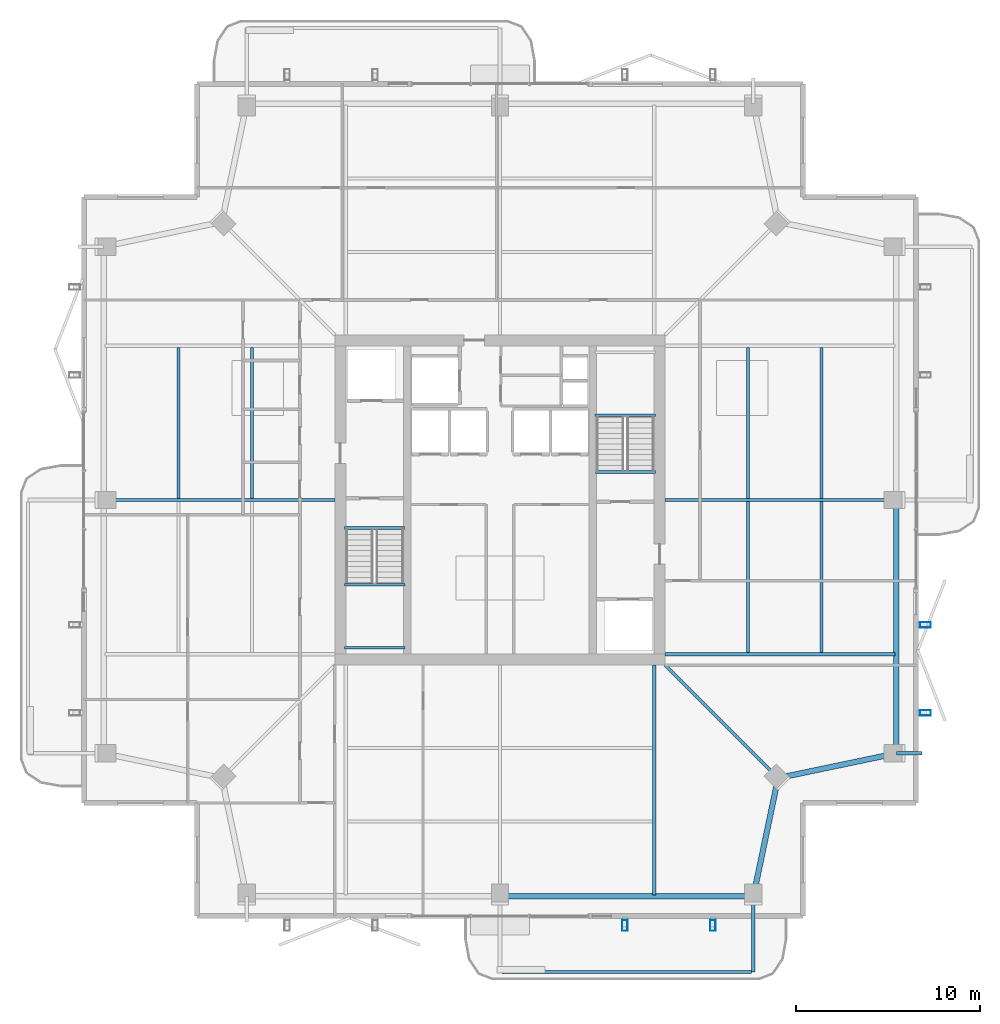
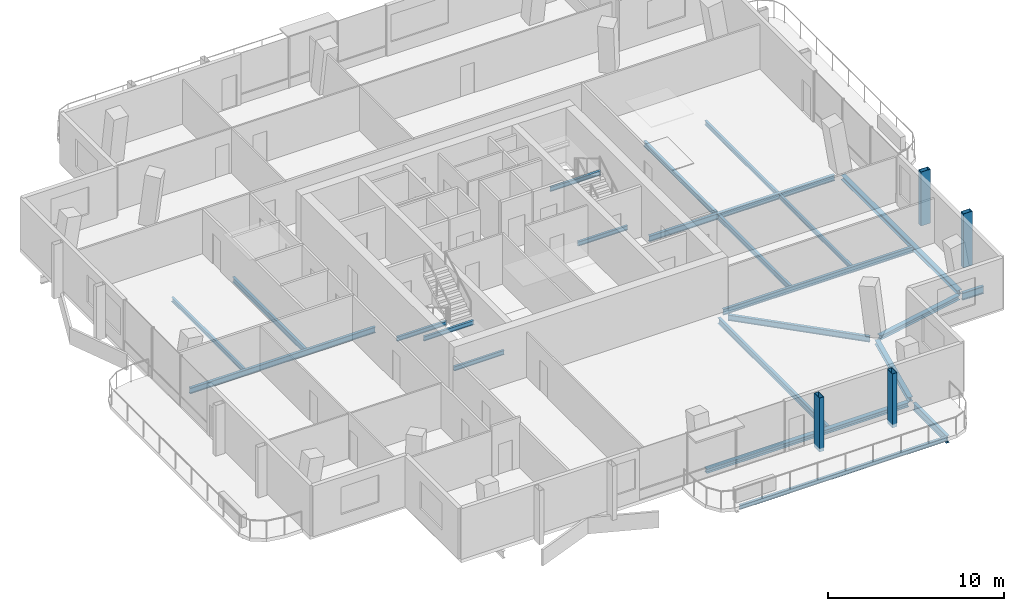
# One storey, part 8 of 20: 23 beams, 4 members.
"""IFC4 building model written with IfcOpenShell, lengths in metres."""

from ifc_helpers import new_model, si_unit, direction, frame, origin, origin_2d, place, context, subcontext, project, spatial, hollow_rectangle, i_section, extrude, material, material_profile, profile_set, type_object, element, save


model = new_model("IFC4")

# Units and contexts
model_context = context("Model", 3, precision=1e-05, world=origin(), true_north=direction((0.0, 1.0)))
body_context = subcontext(model_context, "Body", "Model", "MODEL_VIEW")
ifc_project = project(units=[si_unit("LENGTHUNIT", "METRE"), si_unit("AREAUNIT", "SQUARE_METRE"), si_unit("VOLUMEUNIT", "CUBIC_METRE"), si_unit("PLANEANGLEUNIT", "RADIAN"), si_unit("MASSUNIT", "GRAM", prefix="KILO")], contexts=[model_context])

# Site, building, storey
site_placement = place(None, origin())
site = spatial("IfcSite", under=ifc_project, at=site_placement, CompositionType="ELEMENT")
building_placement = place(site_placement, origin())
building = spatial("IfcBuilding", under=site, at=building_placement, Name="Belovzor Exchange Tower", CompositionType="ELEMENT")
storey_placement = place(building_placement, frame((0.0, 0.0, 329.25)))
storey = spatial("IfcBuildingStorey", under=building, at=storey_placement, Name="L82", CompositionType="ELEMENT", Elevation=329.25)

# Beams
ifc_material_1 = material(Name="Steel S355", Category="steel")
ifc_material_profile_1 = material_profile(ifc_material_1, i_section(OverallWidth=0.199951171875, OverallDepth=0.5, WebThickness=0.01025390625, FlangeThickness=0.01611328125, at=origin_2d()))
ifc_profile_set_1 = profile_set([ifc_material_profile_1], Name="Steel S355")
beam_type_1 = type_object("IfcBeamType", Name="Planted Balcony Cantilever Beam IPE 500", PredefinedType="BEAM", material=ifc_profile_set_1)
beam_1_placement = place(storey_placement, frame((42.60009765625, 6.93896484375, -0.489990234375), z_axis=(0.0, -1.0, 0.0), x_axis=(1.0, 0.0, 0.0)))
element("IfcBeam", 1, at=beam_1_placement, inside=storey, type_object=beam_type_1, Name="BC-500 Planted Balcony Cantilever Beam IPE 500", PredefinedType="BEAM", context=body_context, shape_type="SweptSolid", body=[
    extrude(i_section(OverallWidth=0.199951171875, OverallDepth=0.5, WebThickness=0.01025390625, FlangeThickness=0.01611328125, at=origin_2d()), origin(), (0.0, 0.0, 1.0), 3.849853515625),
])
beam_2_placement = place(storey_placement, frame((50.39990234375, 15.0, -0.489990234375), z_axis=(1.0, 0.0, 0.0), x_axis=(0.0, 1.0, 0.0)))
element("IfcBeam", 2, at=beam_2_placement, inside=storey, type_object=beam_type_1, Name="BC-500 Planted Balcony Cantilever Beam IPE 500", PredefinedType="BEAM", context=body_context, shape_type="SweptSolid", body=[
    extrude(i_section(OverallWidth=0.199951171875, OverallDepth=0.5, WebThickness=0.01025390625, FlangeThickness=0.01611328125, at=origin_2d()), origin(), (0.0, 0.0, 1.0), 1.400146484375),
])
ifc_material_2 = material(Name="Steel S355", Category="steel")
ifc_material_profile_2 = material_profile(ifc_material_2, i_section(OverallWidth=0.14990234375, OverallDepth=0.300048828125, WebThickness=0.007080078125, FlangeThickness=0.0107421875, at=origin_2d()))
ifc_profile_set_2 = profile_set([ifc_material_profile_2], Name="Steel S355")
beam_type_2 = type_object("IfcBeamType", Name="Planted Balcony Fascia Edge Beam IPE 300", PredefinedType="BEAM", material=ifc_profile_set_2)
beam_3_placement = place(storey_placement, frame((28.89990234375, 3.089111328125, -0.389892578125), z_axis=(1.0, 0.0, 0.0), x_axis=(0.0, 1.0, 0.0)))
element("IfcBeam", 3, at=beam_3_placement, inside=storey, type_object=beam_type_2, Name="BC-300 Planted Balcony Fascia Edge Beam IPE 300", PredefinedType="BEAM", context=body_context, shape_type="SweptSolid", body=[
    extrude(i_section(OverallWidth=0.14990234375, OverallDepth=0.300048828125, WebThickness=0.007080078125, FlangeThickness=0.0107421875, at=origin_2d()), origin(), (0.0, 0.0, 1.0), 13.60009765625),
])
ifc_material_3 = material(Name="Steel S355", Category="steel")
ifc_material_profile_3 = material_profile(ifc_material_3, i_section(OverallWidth=0.169921875, OverallDepth=0.360107421875, WebThickness=0.008056640625, FlangeThickness=0.0126953125, at=origin_2d()))
ifc_profile_set_3 = profile_set([ifc_material_profile_3], Name="Steel S355")
beam_type_3 = type_object("IfcBeamType", Name="Secondary Infill Floor Joist IPE 360", PredefinedType="BEAM", material=ifc_profile_set_3)
beam_4_placement = place(storey_placement, frame((15.291015625, 28.889892578125, -0.419921875), z_axis=(0.0, 1.0, 0.0), x_axis=(-1.0, 0.0, 0.0)))
element("IfcBeam", 4, at=beam_4_placement, inside=storey, type_object=beam_type_3, Name="FJ-360 Secondary Infill Floor Joist IPE 360", PredefinedType="BEAM", context=body_context, shape_type="SweptSolid", body=[
    extrude(i_section(OverallWidth=0.169921875, OverallDepth=0.360107421875, WebThickness=0.008056640625, FlangeThickness=0.0126953125, at=origin_2d()), origin(), (0.0, 0.0, 1.0), 8.22021484375),
])
beam_5_placement = place(storey_placement, frame((42.30908203125, 20.489990234375, -0.419921875), z_axis=(0.0, 1.0, 0.0), x_axis=(-1.0, 0.0, 0.0)))
element("IfcBeam", 5, at=beam_5_placement, inside=storey, type_object=beam_type_3, Name="FJ-360 Secondary Infill Floor Joist IPE 360", PredefinedType="BEAM", context=body_context, shape_type="SweptSolid", body=[
    extrude(i_section(OverallWidth=0.169921875, OverallDepth=0.360107421875, WebThickness=0.008056640625, FlangeThickness=0.0126953125, at=origin_2d()), origin(), (0.0, 0.0, 1.0), 8.219970703125),
])
beam_6_placement = place(storey_placement, frame((42.30908203125, 28.889892578125, -0.419921875), z_axis=(0.0, 1.0, 0.0), x_axis=(-1.0, 0.0, 0.0)))
element("IfcBeam", 6, at=beam_6_placement, inside=storey, type_object=beam_type_3, Name="FJ-360 Secondary Infill Floor Joist IPE 360", PredefinedType="BEAM", context=body_context, shape_type="SweptSolid", body=[
    extrude(i_section(OverallWidth=0.169921875, OverallDepth=0.360107421875, WebThickness=0.008056640625, FlangeThickness=0.0126953125, at=origin_2d()), origin(), (0.0, 0.0, 1.0), 8.22021484375),
])
ifc_material_4 = material(Name="Steel S355", Category="steel")
ifc_material_profile_4 = material_profile(ifc_material_4, i_section(OverallWidth=0.14990234375, OverallDepth=0.300048828125, WebThickness=0.007080078125, FlangeThickness=0.0107421875, at=origin_2d()))
ifc_profile_set_4 = profile_set([ifc_material_profile_4], Name="Steel S355")
beam_type_4 = type_object("IfcBeamType", Name="Secondary Trim Floor Joist IPE 300", PredefinedType="BEAM", material=ifc_profile_set_4)
for number, where, z_axis, x_axis, name in (
    (7, (20.320068359375, 24.179931640625, 1.52490234375), (1.0, 0.0, 0.0), (0.0, 1.0, 0.0), "FJ-300 Secondary Trim Floor Joist IPE 300"),
    (8, (20.320068359375, 20.75, 1.52490234375), (1.0, 0.0, 0.0), (0.0, 1.0, 0.0), "FJ-300 Secondary Trim Floor Joist IPE 300"),
):
    element("IfcBeam", number, at=place(storey_placement, frame(where, z_axis=z_axis, x_axis=x_axis)), inside=storey, type_object=beam_type_4, Name=name, PredefinedType="BEAM", context=body_context, shape_type="SweptSolid", body=[
        extrude(i_section(OverallWidth=0.14990234375, OverallDepth=0.300048828125, WebThickness=0.007080078125, FlangeThickness=0.0107421875, at=origin_2d()), origin(), (0.0, 0.0, 1.0), 3.309814453125),
    ])
beam_7_placement = place(storey_placement, frame((20.340087890625, 27.280029296875, -0.389892578125), z_axis=(1.0, 0.0, 0.0), x_axis=(0.0, 1.0, 0.0)))
element("IfcBeam", 9, at=beam_7_placement, inside=storey, type_object=beam_type_4, Name="FJ-300 Secondary Trim Floor Joist IPE 300", PredefinedType="BEAM", context=body_context, shape_type="SweptSolid", body=[
    extrude(i_section(OverallWidth=0.14990234375, OverallDepth=0.300048828125, WebThickness=0.007080078125, FlangeThickness=0.0107421875, at=origin_2d()), origin(), (0.0, 0.0, 1.0), 3.27001953125),
])
beam_8_placement = place(storey_placement, frame((37.280029296875, 33.419921875, 1.52490234375), z_axis=(-1.0, 0.0, 0.0), x_axis=(0.0, -1.0, 0.0)))
element("IfcBeam", 10, at=beam_8_placement, inside=storey, type_object=beam_type_4, Name="FJ-300 Secondary Trim Floor Joist IPE 300", PredefinedType="BEAM", context=body_context, shape_type="SweptSolid", body=[
    extrude(i_section(OverallWidth=0.14990234375, OverallDepth=0.300048828125, WebThickness=0.007080078125, FlangeThickness=0.0107421875, at=origin_2d()), origin(), (0.0, 0.0, 1.0), 3.31005859375),
])
beam_9_placement = place(storey_placement, frame((37.260009765625, 30.320068359375, -0.389892578125), z_axis=(-1.0, 0.0, 0.0), x_axis=(0.0, -1.0, 0.0)))
element("IfcBeam", 11, at=beam_9_placement, inside=storey, type_object=beam_type_4, Name="FJ-300 Secondary Trim Floor Joist IPE 300", PredefinedType="BEAM", context=body_context, shape_type="SweptSolid", body=[
    extrude(i_section(OverallWidth=0.14990234375, OverallDepth=0.300048828125, WebThickness=0.007080078125, FlangeThickness=0.0107421875, at=origin_2d()), origin(), (0.0, 0.0, 1.0), 3.27001953125),
])
beam_10_placement = place(storey_placement, frame((11.282958984375, 28.889892578125, -0.389892578125), z_axis=(0.0, 1.0, 0.0), x_axis=(-1.0, 0.0, 0.0)))
element("IfcBeam", 12, at=beam_10_placement, inside=storey, type_object=beam_type_4, Name="FJ-300 Secondary Trim Floor Joist IPE 300", PredefinedType="BEAM", context=body_context, shape_type="SweptSolid", body=[
    extrude(i_section(OverallWidth=0.14990234375, OverallDepth=0.300048828125, WebThickness=0.007080078125, FlangeThickness=0.0107421875, at=origin_2d()), origin(), (0.0, 0.0, 1.0), 8.22021484375),
])
beam_11_placement = place(storey_placement, frame((46.31689453125, 20.489990234375, -0.389892578125), z_axis=(0.0, 1.0, 0.0), x_axis=(-1.0, 0.0, 0.0)))
element("IfcBeam", 13, at=beam_11_placement, inside=storey, type_object=beam_type_4, Name="FJ-300 Secondary Trim Floor Joist IPE 300", PredefinedType="BEAM", context=body_context, shape_type="SweptSolid", body=[
    extrude(i_section(OverallWidth=0.14990234375, OverallDepth=0.300048828125, WebThickness=0.007080078125, FlangeThickness=0.0107421875, at=origin_2d()), origin(), (0.0, 0.0, 1.0), 8.219970703125),
])
beam_12_placement = place(storey_placement, frame((46.31689453125, 28.889892578125, -0.389892578125), z_axis=(0.0, 1.0, 0.0), x_axis=(-1.0, 0.0, 0.0)))
element("IfcBeam", 14, at=beam_12_placement, inside=storey, type_object=beam_type_4, Name="FJ-300 Secondary Trim Floor Joist IPE 300", PredefinedType="BEAM", context=body_context, shape_type="SweptSolid", body=[
    extrude(i_section(OverallWidth=0.14990234375, OverallDepth=0.300048828125, WebThickness=0.007080078125, FlangeThickness=0.0107421875, at=origin_2d()), origin(), (0.0, 0.0, 1.0), 8.22021484375),
])

# Members
ifc_material_5 = material(Name="Extruded Architectural Terracotta on Steel S355 Carrier", Category="masonry")
ifc_material_profile_5 = material_profile(ifc_material_5, hollow_rectangle(XDim=0.300048828125, YDim=0.60009765625, WallThickness=0.01611328125, at=origin_2d()))
ifc_profile_set_5 = profile_set([ifc_material_profile_5], Name="Extruded Architectural Terracotta on Steel S355 Carrier")
member_type = type_object("IfcMemberType", Name="Upper Crown Terracotta Fin Assembly 550", PredefinedType="USERDEFINED", material=ifc_profile_set_5)
for number, where, z_axis, x_axis, name in (
    (15, (51.97509765625, 17.199951171875, -0.239990234375), (0.0, 0.0, 1.0), (0.0, 1.0, 0.0), "FIN-TC055 Terracotta Facade Fin L82 E1"),
    (16, (51.97509765625, 22.0, -0.239990234375), (0.0, 0.0, 1.0), (0.0, 1.0, 0.0), "FIN-TC055 Terracotta Facade Fin L82 E2"),
    (17, (35.60009765625, 5.625, -0.239990234375), (0.0, 0.0, 1.0), (1.0, 0.0, 0.0), "FIN-TC055 Terracotta Facade Fin L82 S3"),
    (18, (40.39990234375, 5.625, -0.239990234375), (0.0, 0.0, 1.0), (1.0, 0.0, 0.0), "FIN-TC055 Terracotta Facade Fin L82 S4"),
):
    element("IfcMember", number, at=place(storey_placement, frame(where, z_axis=z_axis, x_axis=x_axis)), inside=storey, type_object=member_type, Name=name, ObjectType="FIN", PredefinedType="USERDEFINED", context=body_context, shape_type="SweptSolid", body=[
        extrude(hollow_rectangle(XDim=0.300048828125, YDim=0.60009765625, WallThickness=0.01611328125, at=origin_2d()), origin(), (0.0, 0.0, 1.0), 3.75),
    ])

# Beams
ifc_material_6 = material(Name="Steel S355", Category="steel")
ifc_material_profile_6 = material_profile(ifc_material_6, i_section(OverallWidth=0.179931640625, OverallDepth=0.39990234375, WebThickness=0.008544921875, FlangeThickness=0.013427734375, at=origin_2d()))
ifc_profile_set_6 = profile_set([ifc_material_profile_6], Name="Steel S355")
beam_type_5 = type_object("IfcBeamType", Name="Zone 5-6 Radial Composite Floor Beam IPE 400", PredefinedType="BEAM", material=ifc_profile_set_6)
beam_13_placement = place(storey_placement, frame((37.199951171875, 19.800048828125, -0.43994140625), z_axis=(0.0, -1.0, 0.0), x_axis=(1.0, 0.0, 0.0)))
element("IfcBeam", 19, at=beam_13_placement, inside=storey, type_object=beam_type_5, Name="FB-400 Zone 5-6 Radial Composite Floor Beam IPE 400", PredefinedType="BEAM", context=body_context, shape_type="SweptSolid", body=[
    extrude(i_section(OverallWidth=0.179931640625, OverallDepth=0.39990234375, WebThickness=0.008544921875, FlangeThickness=0.013427734375, at=origin_2d()), origin(), (0.0, 0.0, 1.0), 12.525146484375),
])
beam_14_placement = place(storey_placement, frame((19.800048828125, 28.800048828125, -0.43994140625), z_axis=(-1.0, 0.0, 0.0), x_axis=(0.0, -1.0, 0.0)))
element("IfcBeam", 20, at=beam_14_placement, inside=storey, type_object=beam_type_5, Name="FB-400 Zone 5-6 Radial Composite Floor Beam IPE 400", PredefinedType="BEAM", context=body_context, shape_type="SweptSolid", body=[
    extrude(i_section(OverallWidth=0.179931640625, OverallDepth=0.39990234375, WebThickness=0.008544921875, FlangeThickness=0.013427734375, at=origin_2d()), origin(), (0.0, 0.0, 1.0), 12.18212890625),
])
beam_15_placement = place(storey_placement, frame((37.800048828125, 20.39990234375, -0.43994140625), z_axis=(1.0, 0.0, 0.0), x_axis=(0.0, 1.0, 0.0)))
element("IfcBeam", 21, at=beam_15_placement, inside=storey, type_object=beam_type_5, Name="FB-400 Zone 5-6 Radial Composite Floor Beam IPE 400", PredefinedType="BEAM", context=body_context, shape_type="SweptSolid", body=[
    extrude(i_section(OverallWidth=0.179931640625, OverallDepth=0.39990234375, WebThickness=0.008544921875, FlangeThickness=0.013427734375, at=origin_2d()), origin(), (0.0, 0.0, 1.0), 12.52490234375),
])
beam_16_placement = place(storey_placement, frame((37.800048828125, 28.800048828125, -0.43994140625), z_axis=(1.0, 0.0, 0.0), x_axis=(0.0, 1.0, 0.0)))
element("IfcBeam", 22, at=beam_16_placement, inside=storey, type_object=beam_type_5, Name="FB-400 Zone 5-6 Radial Composite Floor Beam IPE 400", PredefinedType="BEAM", context=body_context, shape_type="SweptSolid", body=[
    extrude(i_section(OverallWidth=0.179931640625, OverallDepth=0.39990234375, WebThickness=0.008544921875, FlangeThickness=0.013427734375, at=origin_2d()), origin(), (0.0, 0.0, 1.0), 12.181884765625),
])
beam_17_placement = place(storey_placement, frame((37.800048828125, 19.800048828125, -0.43994140625), z_axis=(0.707150577091, -0.707062982569, 0.0), x_axis=(0.707062982569, 0.707150577091, 0.0)))
element("IfcBeam", 23, at=beam_17_placement, inside=storey, type_object=beam_type_5, Name="FB-400 Zone 5-6 Radial Composite Floor Beam IPE 400", PredefinedType="BEAM", context=body_context, shape_type="SweptSolid", body=[
    extrude(i_section(OverallWidth=0.179931640625, OverallDepth=0.39990234375, WebThickness=0.008544921875, FlangeThickness=0.013427734375, at=origin_2d()), origin(), (0.0, 0.0, 1.0), 8.361572265625),
])
ifc_material_7 = material(Name="Steel S355", Category="steel")
ifc_material_profile_7 = material_profile(ifc_material_7, i_section(OverallWidth=0.300048828125, OverallDepth=0.300048828125, WebThickness=0.008544921875, FlangeThickness=0.013916015625, at=origin_2d()))
ifc_profile_set_7 = profile_set([ifc_material_profile_7], Name="Steel S355")
beam_type_6 = type_object("IfcBeamType", Name="Zone 6 Primary Girder HEA 300", PredefinedType="BEAM", material=ifc_profile_set_7)
beam_18_placement = place(storey_placement, frame((29.06103515625, 7.199951171875, -0.389892578125), z_axis=(1.0, 0.0, 0.0), x_axis=(0.0, 1.0, 0.0)))
element("IfcBeam", 24, at=beam_18_placement, inside=storey, type_object=beam_type_6, Name="FG-Z6 Zone 6 Primary Girder HEA 300", PredefinedType="BEAM", context=body_context, shape_type="SweptSolid", body=[
    extrude(i_section(OverallWidth=0.300048828125, OverallDepth=0.300048828125, WebThickness=0.008544921875, FlangeThickness=0.013916015625, at=origin_2d()), origin(), (0.0, 0.0, 1.0), 13.278076171875),
])
for number, where, z_axis, x_axis, name in (
    (25, (42.654052734375, 7.4560546875, -0.389892578125), (0.204722380619, 0.978820078908, 0.0), (-0.978820078908, 0.204722380619, 0.0), "FG-Z6 Zone 6 Primary Girder HEA 300"),
    (26, (44.2060546875, 13.7041015625, -0.389892578125), (0.978820078908, 0.204722380619, 0.0), (-0.204722380619, 0.978820078908, 0.0), "FG-Z6 Zone 6 Primary Girder HEA 300"),
):
    element("IfcBeam", number, at=place(storey_placement, frame(where, z_axis=z_axis, x_axis=x_axis)), inside=storey, type_object=beam_type_6, Name=name, PredefinedType="BEAM", context=body_context, shape_type="SweptSolid", body=[
        extrude(i_section(OverallWidth=0.300048828125, OverallDepth=0.300048828125, WebThickness=0.008544921875, FlangeThickness=0.013916015625, at=origin_2d()), origin(), (0.0, 0.0, 1.0), 6.06640625),
    ])
beam_19_placement = place(storey_placement, frame((50.39990234375, 15.260986328125, -0.389892578125), z_axis=(0.0, 1.0, 0.0), x_axis=(-1.0, 0.0, 0.0)))
element("IfcBeam", 27, at=beam_19_placement, inside=storey, type_object=beam_type_6, Name="FG-Z6 Zone 6 Primary Girder HEA 300", PredefinedType="BEAM", context=body_context, shape_type="SweptSolid", body=[
    extrude(i_section(OverallWidth=0.300048828125, OverallDepth=0.300048828125, WebThickness=0.008544921875, FlangeThickness=0.013916015625, at=origin_2d()), origin(), (0.0, 0.0, 1.0), 13.278076171875),
])

save(model, "model.ifc")
